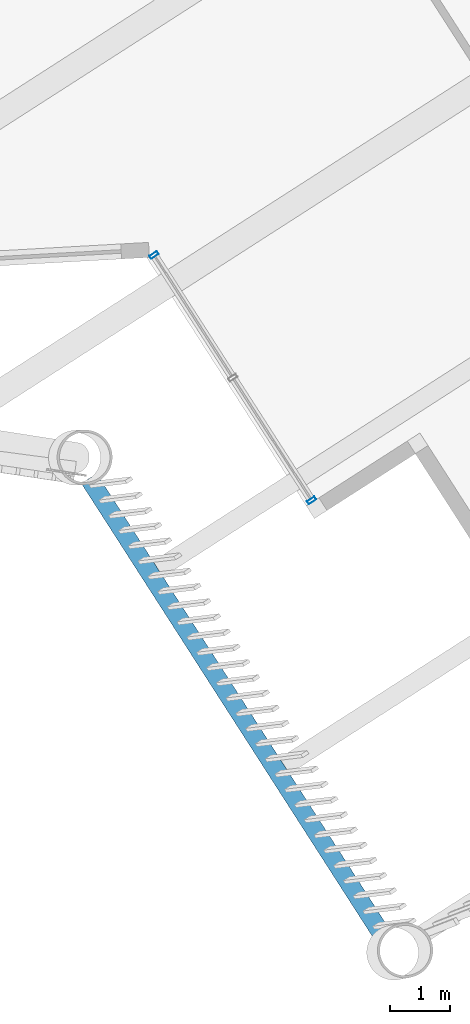
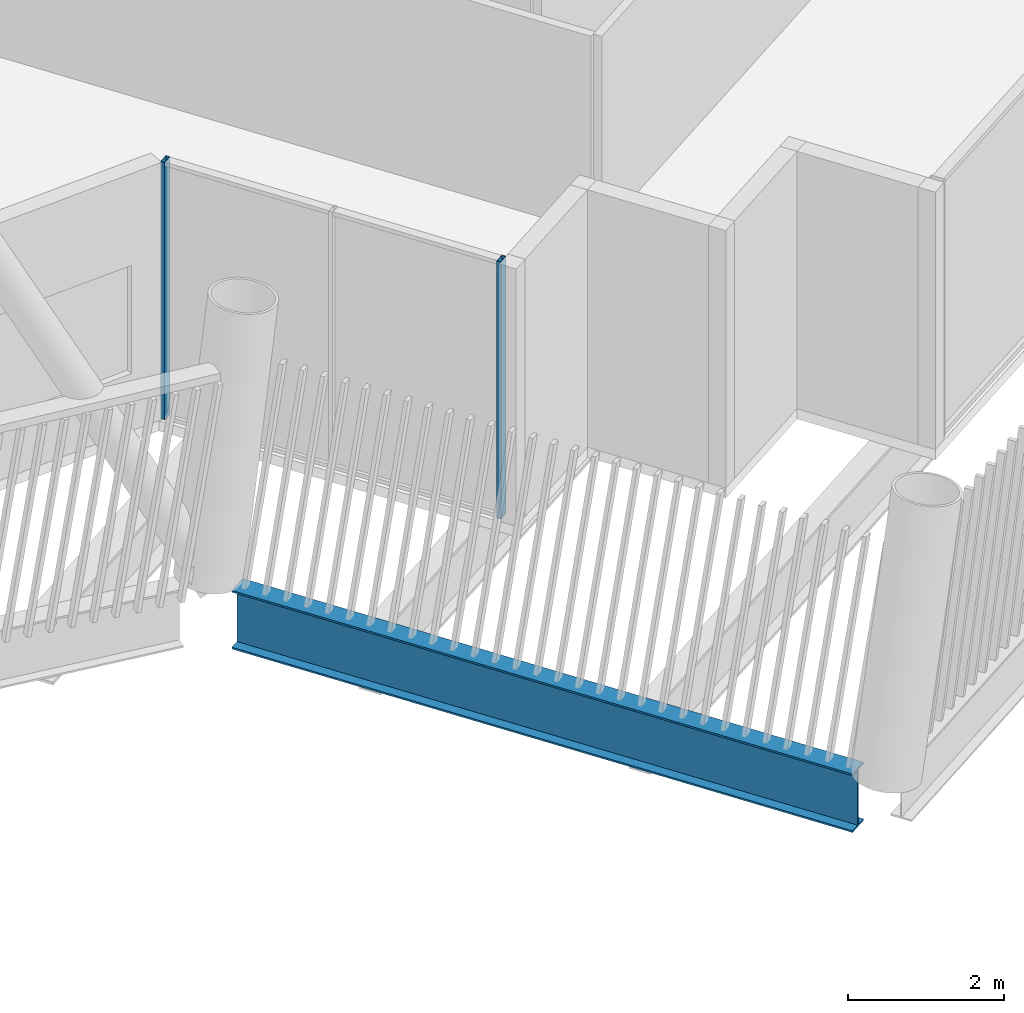
# One storey, part 5 of 35: 2 members, 1 beam, 1 element without a shape of its own.
"""IFC4 building model written with IfcOpenShell, lengths in metres."""

from ifc_helpers import new_model, si_unit, direction, frame, origin, origin_2d, place, context, subcontext, project, spatial, hollow_rectangle, i_section, extrude, material, layer, layer_set, material_profile, profile_set, type_object, element, aggregate, save


model = new_model("IFC4")

# Units and contexts
model_context = context("Model", 3, precision=1e-05, world=origin(), true_north=direction((0.0, 1.0)))
body_context = subcontext(model_context, "Body", "Model", "MODEL_VIEW")
ifc_project = project(units=[si_unit("LENGTHUNIT", "METRE"), si_unit("AREAUNIT", "SQUARE_METRE"), si_unit("VOLUMEUNIT", "CUBIC_METRE"), si_unit("PLANEANGLEUNIT", "RADIAN"), si_unit("MASSUNIT", "GRAM", prefix="KILO")], contexts=[model_context])

# Site, building, storey
site_placement = place(None, origin())
site = spatial("IfcSite", under=ifc_project, at=site_placement, CompositionType="ELEMENT")
building_placement = place(site_placement, origin())
building = spatial("IfcBuilding", under=site, at=building_placement, Name="Tarsis Ring Headquarters", CompositionType="ELEMENT")
storey_placement = place(building_placement, frame((0.0, 0.0, 360.800048828125)))
storey = spatial("IfcBuildingStorey", under=building, at=storey_placement, Name="L85", CompositionType="ELEMENT", Elevation=360.800048828125)

# Curtain wall, members
ifc_material_1 = material(Name="Aluminium curtain wall", Category="aluminium")
ifc_layer = layer(ifc_material_1, 0.14990234375)
ifc_layer_set = layer_set([ifc_layer], Name="Curtain wall tower unit")
curtain_wall_type = type_object("IfcCurtainWallType", Name="Curtain wall tower unit", PredefinedType="NOTDEFINED", material=ifc_layer_set)
curtain_wall_placement = place(storey_placement, origin())
curtain_wall = element("IfcCurtainWall", 1, at=curtain_wall_placement, inside=storey, type_object=curtain_wall_type, Name="Curtain wall L85-06", PredefinedType="NOTDEFINED")
ifc_material_2 = material(Name="Aluminium mullion", Category="aluminium")
ifc_material_profile_1 = material_profile(ifc_material_2, hollow_rectangle(XDim=0.14990234375, YDim=0.06005859375, WallThickness=0.0048828125, at=origin_2d()), Name="RHS 150x60x5")
ifc_profile_set_1 = profile_set([ifc_material_profile_1], Name="Aluminium mullion")
member_type = type_object("IfcMemberType", Name="Curtain wall mullion tower unit RHS 150x60x5", PredefinedType="MULLION", material=ifc_profile_set_1)
member_1_placement = place(storey_placement, frame((2.36474609375, -25.64990234375, 0.0), z_axis=(0.0, 0.0, 1.0), x_axis=(0.841322074148, 0.540534150217, 0.0)))
member_1 = element("IfcMember", 2, at=member_1_placement, type_object=member_type, Name="CW-T mullion 1", PredefinedType="MULLION", context=body_context, shape_type="SweptSolid", body=[
    extrude(hollow_rectangle(XDim=0.14990234375, YDim=0.06005859375, WallThickness=0.0048828125, at=origin_2d()), origin(), (0.0, 0.0, 1.0), 4.0400390625),
])
member_2_placement = place(storey_placement, frame((4.992919921875, -29.740234375, 0.0), z_axis=(0.0, 0.0, 1.0), x_axis=(0.841322074148, 0.540534150217, 0.0)))
member_2 = element("IfcMember", 3, at=member_2_placement, type_object=member_type, Name="CW-T mullion 3", PredefinedType="MULLION", context=body_context, shape_type="SweptSolid", body=[
    extrude(hollow_rectangle(XDim=0.14990234375, YDim=0.06005859375, WallThickness=0.0048828125, at=origin_2d()), origin(), (0.0, 0.0, 1.0), 4.0400390625),
])
aggregate(curtain_wall, [member_1, member_2])

# Beam
ifc_material_3 = material(Name="Structural steel S355", Category="steel")
ifc_material_profile_2 = material_profile(ifc_material_3, i_section(OverallWidth=0.3046875, OverallDepth=0.91943359375, WebThickness=0.017333984375, FlangeThickness=0.02783203125, at=origin_2d()), Name="W36x170")
ifc_profile_set_2 = profile_set([ifc_material_profile_2], Name="Structural steel S355")
beam_type = type_object("IfcBeamType", Name="XG Ring girder W36x170", PredefinedType="BEAM", material=ifc_profile_set_2)
beam_placement = place(storey_placement, frame((1.28173828125, -29.37548828125, -0.459716796875), z_axis=(0.540556992453, -0.841307397989, 0.0), x_axis=(0.841307397989, 0.540556992453, 0.0)))
element("IfcBeam", 4, at=beam_placement, inside=storey, type_object=beam_type, Name="Ring girder XG4", PredefinedType="BEAM", context=body_context, shape_type="SweptSolid", body=[
    extrude(i_section(OverallWidth=0.3046875, OverallDepth=0.91943359375, WebThickness=0.017333984375, FlangeThickness=0.02783203125, at=origin_2d()), origin(), (0.0, 0.0, 1.0), 8.9814453125),
])

save(model, "model.ifc")
